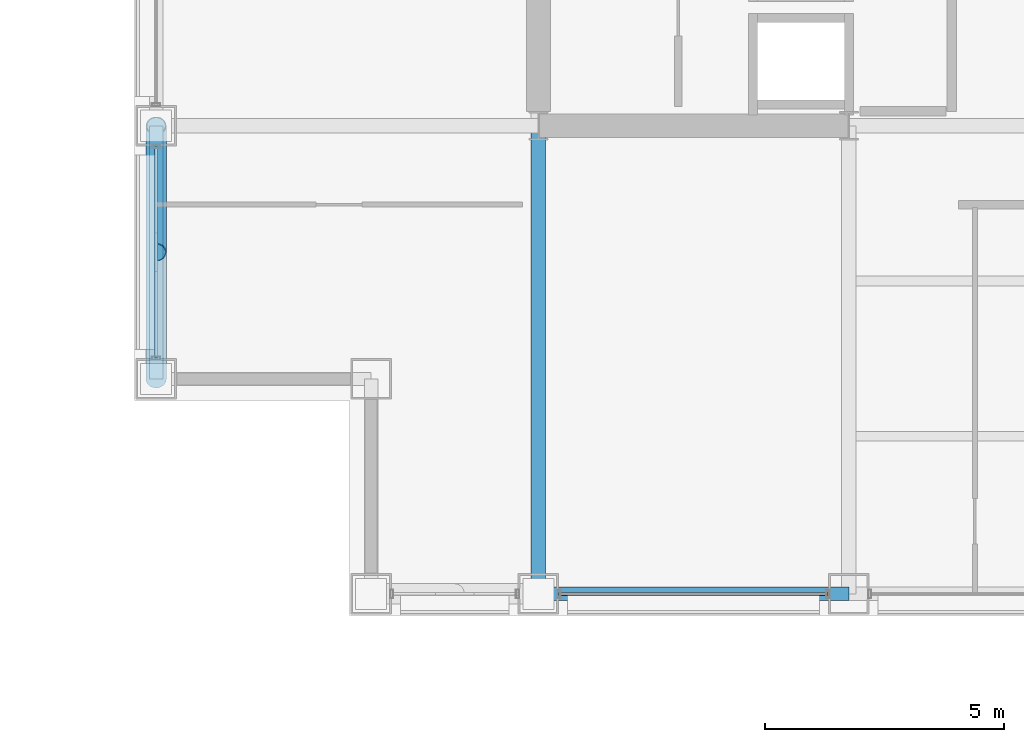
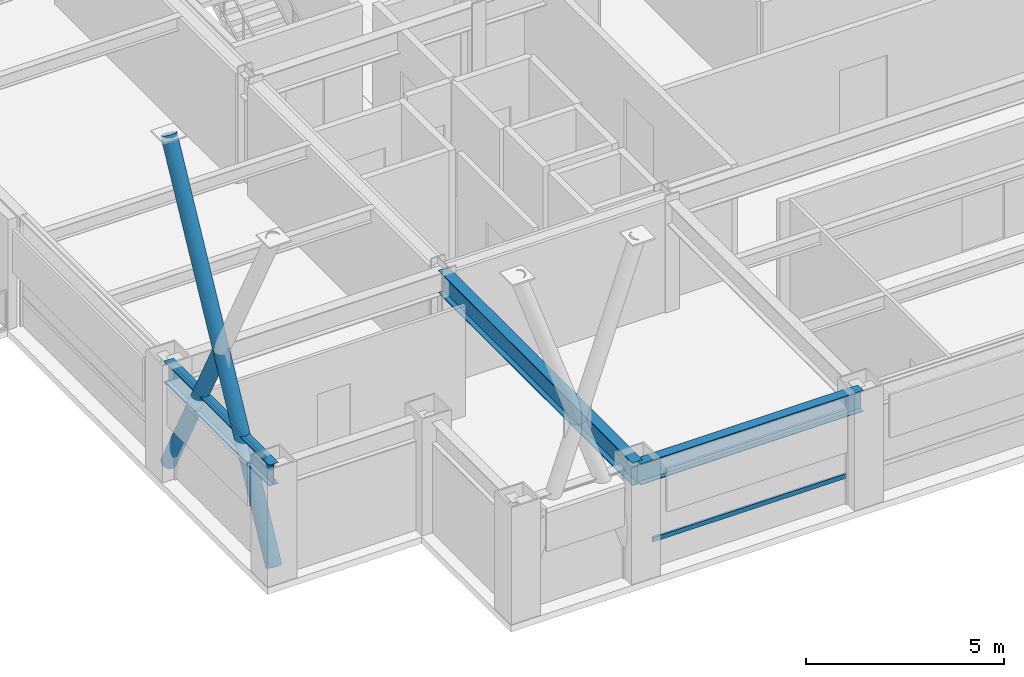
# One storey, part 3 of 32: 4 members, 3 beams, 2 elements without a shape of their own.
"""IFC4 building model written with IfcOpenShell, lengths in metres."""

from ifc_helpers import new_model, si_unit, direction, frame, origin, origin_2d, place, context, subcontext, project, spatial, hollow_rectangle, hollow_circle, i_section, extrude, material, layer, layer_set, material_profile, profile_set, type_object, element, aggregate, save


model = new_model("IFC4")

# Units and contexts
model_context = context("Model", 3, precision=1e-05, world=origin(), true_north=direction((0.0, 1.0)))
body_context = subcontext(model_context, "Body", "Model", "MODEL_VIEW")
ifc_project = project(units=[si_unit("LENGTHUNIT", "METRE"), si_unit("AREAUNIT", "SQUARE_METRE"), si_unit("VOLUMEUNIT", "CUBIC_METRE"), si_unit("PLANEANGLEUNIT", "RADIAN"), si_unit("MASSUNIT", "GRAM", prefix="KILO")], contexts=[model_context])

# Site, building, storey
site_placement = place(None, origin())
site = spatial("IfcSite", under=ifc_project, at=site_placement, CompositionType="ELEMENT")
building_placement = place(site_placement, origin())
building = spatial("IfcBuilding", under=site, at=building_placement, Name="Brelmoor Portico Tower", CompositionType="ELEMENT")
storey_placement = place(building_placement, frame((0.0, 0.0, 109.800048828125)))
storey = spatial("IfcBuildingStorey", under=building, at=storey_placement, Name="L28", CompositionType="ELEMENT", Elevation=109.800048828125)

# Beams
ifc_material_1 = material(Name="Steel Q355B", Category="steel")
ifc_material_profile_1 = material_profile(ifc_material_1, i_section(OverallWidth=0.300048828125, OverallDepth=0.699951171875, WebThickness=0.012939453125, FlangeThickness=0.02392578125, at=origin_2d()), Name="HN 700x300x13x24")
ifc_profile_set_1 = profile_set([ifc_material_profile_1], Name="Steel Q355B")
beam_type_1 = type_object("IfcBeamType", Name="BM-PG-700", PredefinedType="BEAM", material=ifc_profile_set_1)
beam_1_placement = place(storey_placement, frame((-14.550048828125, -19.550048828125, 3.050048828125), z_axis=(0.0, 1.0, 0.0), x_axis=(-1.0, 0.0, 0.0)))
element("IfcBeam", 1, at=beam_1_placement, inside=storey, type_object=beam_type_1, Name="L28 Primary Floor Girder PG-01", PredefinedType="BEAM", context=body_context, shape_type="SweptSolid", body=[
    extrude(i_section(OverallWidth=0.300048828125, OverallDepth=0.699951171875, WebThickness=0.012939453125, FlangeThickness=0.02392578125, at=origin_2d()), origin(), (0.0, 0.0, 1.0), 9.800048828125),
])
ifc_material_profile_2 = material_profile(ifc_material_1, i_section(OverallWidth=0.280029296875, OverallDepth=0.64990234375, WebThickness=0.012939453125, FlangeThickness=0.02197265625, at=origin_2d()), Name="HN 650x280x13x22")
ifc_profile_set_2 = profile_set([ifc_material_profile_2], Name="Steel Q355B")
beam_type_2 = type_object("IfcBeamType", Name="BM-SP-650", PredefinedType="SPANDREL", material=ifc_profile_set_2)
beam_2_placement = place(storey_placement, frame((-14.550048828125, -19.550048828125, 3.074951171875), z_axis=(1.0, 0.0, 0.0), x_axis=(0.0, 1.0, 0.0)))
element("IfcBeam", 2, at=beam_2_placement, inside=storey, type_object=beam_type_2, Name="L28 Perimeter Spandrel Beam SP-02", PredefinedType="SPANDREL", context=body_context, shape_type="SweptSolid", body=[
    extrude(i_section(OverallWidth=0.280029296875, OverallDepth=0.64990234375, WebThickness=0.012939453125, FlangeThickness=0.02197265625, at=origin_2d()), origin(), (0.0, 0.0, 1.0), 6.5),
])
beam_3_placement = place(storey_placement, frame((-22.550048828125, -15.050048828125, 3.074951171875), z_axis=(0.0, 1.0, 0.0), x_axis=(-1.0, 0.0, 0.0)))
element("IfcBeam", 3, at=beam_3_placement, inside=storey, type_object=beam_type_2, Name="L28 Perimeter Spandrel Beam SP-15", PredefinedType="SPANDREL", context=body_context, shape_type="SweptSolid", body=[
    extrude(i_section(OverallWidth=0.280029296875, OverallDepth=0.64990234375, WebThickness=0.012939453125, FlangeThickness=0.02197265625, at=origin_2d()), origin(), (0.0, 0.0, 1.0), 5.300048828125),
])

# Members
ifc_material_profile_3 = material_profile(ifc_material_1, hollow_circle(Radius=0.212890625, WallThickness=0.02001953125, at=origin_2d()), Name="CHS 426x20")
ifc_profile_set_3 = profile_set([ifc_material_profile_3], Name="Steel Q355B")
member_type_1 = type_object("IfcMemberType", Name="MB-BELT-DIAG1", PredefinedType="BRACE", material=ifc_profile_set_3)
member_1_placement = place(storey_placement, frame((-22.550048828125, -15.050048828125, 0.25), z_axis=(0.0, 0.464670709165, 0.885483558314), x_axis=(-1.0, 0.0, 0.0)))
element("IfcMember", 4, at=member_1_placement, inside=storey, type_object=member_type_1, Name="L28 Continuous Mega-X Brace 061A", PredefinedType="BRACE", context=body_context, shape_type="SweptSolid", body=[
    extrude(hollow_circle(Radius=0.212890625, WallThickness=0.02001953125, at=origin_2d()), origin(), (0.0, 0.0, 1.0), 11.406005859375),
])
member_2_placement = place(storey_placement, frame((-22.550048828125, -9.75, 0.25), z_axis=(0.0, -0.464645119255, 0.885496986529), x_axis=(1.0, 0.0, 0.0)))
element("IfcMember", 5, at=member_2_placement, inside=storey, type_object=member_type_1, Name="L28 Split Mega-X Brace 061B1", PredefinedType="BRACE", context=body_context, shape_type="SweptSolid", body=[
    extrude(hollow_circle(Radius=0.212890625, WallThickness=0.02001953125, at=origin_2d()), origin(), (0.0, 0.0, 1.0), 5.703125),
])

# Curtain wall, member
ifc_material_2 = material(Name="Anodised Aluminium Alloy 6063-T6", Category="aluminium")
ifc_layer_1 = layer(ifc_material_2, 0.179931640625)
ifc_layer_set_1 = layer_set([ifc_layer_1], Name="Anodised Aluminium Alloy 6063-T6")
curtain_wall_type_1 = type_object("IfcCurtainWallType", Name="CW-TOWER-Z2", PredefinedType="NOTDEFINED", material=ifc_layer_set_1)
curtain_wall_1_placement = place(storey_placement, origin())
curtain_wall_1 = element("IfcCurtainWall", 6, at=curtain_wall_1_placement, inside=storey, type_object=curtain_wall_type_1, Name="L28 Curtain Wall CW-L28-1L-2", PredefinedType="NOTDEFINED")
ifc_material_profile_4 = material_profile(ifc_material_2, hollow_rectangle(XDim=0.06494140625, YDim=0.139892578125, WallThickness=0.00390625, at=origin_2d()), Name="ALU TRANSOM 65x140")
ifc_profile_set_4 = profile_set([ifc_material_profile_4], Name="Anodised Aluminium Alloy 6063-T6")
member_type_2 = type_object("IfcMemberType", Name="MB-CW-TRAN-140", PredefinedType="USERDEFINED", material=ifc_profile_set_4)
member_3_placement = place(storey_placement, frame((-14.114990234375, -19.550048828125, 0.849853515625), z_axis=(1.0, 0.0, 0.0), x_axis=(0.0, 1.0, 0.0)))
member_3 = element("IfcMember", 7, at=member_3_placement, type_object=member_type_2, Name="CW-L28-1L-2 Transom 1-00", ObjectType="TRANSOM", PredefinedType="USERDEFINED", context=body_context, shape_type="SweptSolid", body=[
    extrude(hollow_rectangle(XDim=0.06494140625, YDim=0.139892578125, WallThickness=0.00390625, at=origin_2d()), origin(), (0.0, 0.0, 1.0), 5.6298828125),
])
aggregate(curtain_wall_1, [member_3])

ifc_layer_2 = layer(ifc_material_2, 0.179931640625)
ifc_layer_set_2 = layer_set([ifc_layer_2], Name="Anodised Aluminium Alloy 6063-T6")
curtain_wall_type_2 = type_object("IfcCurtainWallType", Name="CW-TOWER-Z2-XB", PredefinedType="NOTDEFINED", material=ifc_layer_set_2)
curtain_wall_2_placement = place(storey_placement, origin())
curtain_wall_2 = element("IfcCurtainWall", 8, at=curtain_wall_2_placement, inside=storey, type_object=curtain_wall_type_2, Name="L28 Curtain Wall CW-L28-3L-1", PredefinedType="NOTDEFINED")
member_4_placement = place(storey_placement, frame((-22.550048828125, -14.614990234375, 3.329833984375), z_axis=(0.0, 1.0, 0.0), x_axis=(-1.0, 0.0, 0.0)))
member_4 = element("IfcMember", 9, at=member_4_placement, type_object=member_type_2, Name="CW-L28-3L-1 Transom 1-00", ObjectType="TRANSOM", PredefinedType="USERDEFINED", context=body_context, shape_type="SweptSolid", body=[
    extrude(hollow_rectangle(XDim=0.06494140625, YDim=0.139892578125, WallThickness=0.00390625, at=origin_2d()), origin(), (0.0, 0.0, 1.0), 4.429931640625),
])
aggregate(curtain_wall_2, [member_4])

save(model, "model.ifc")
